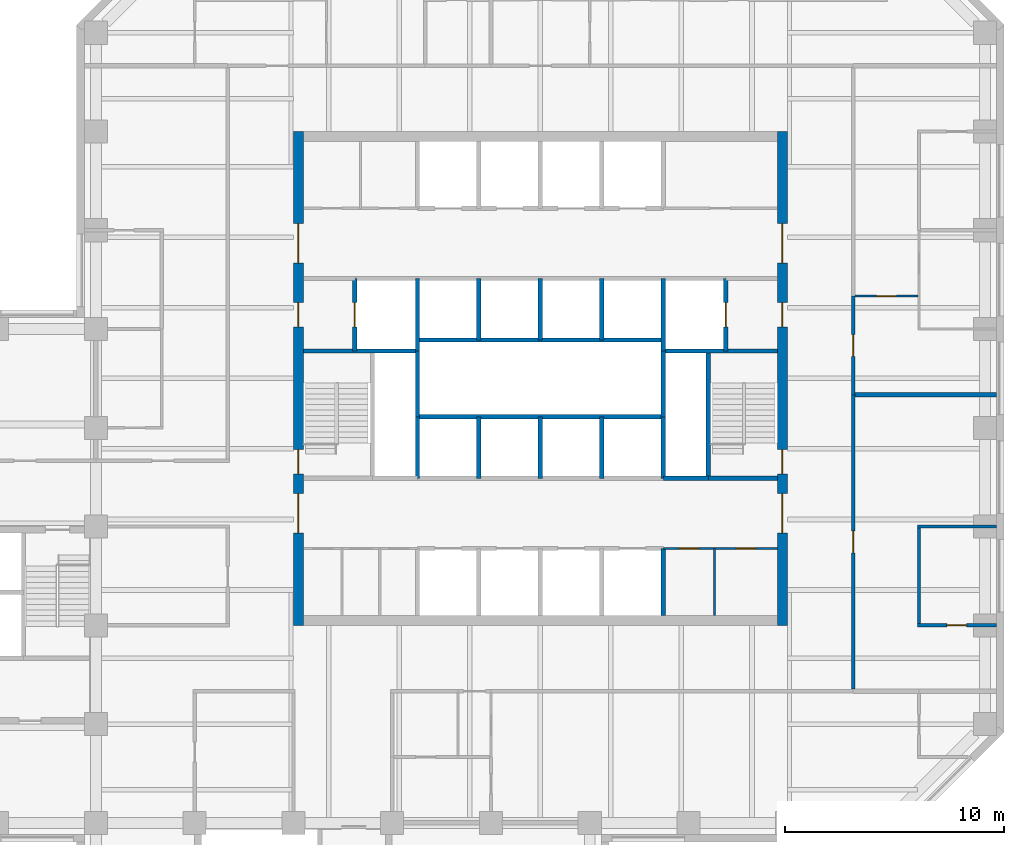
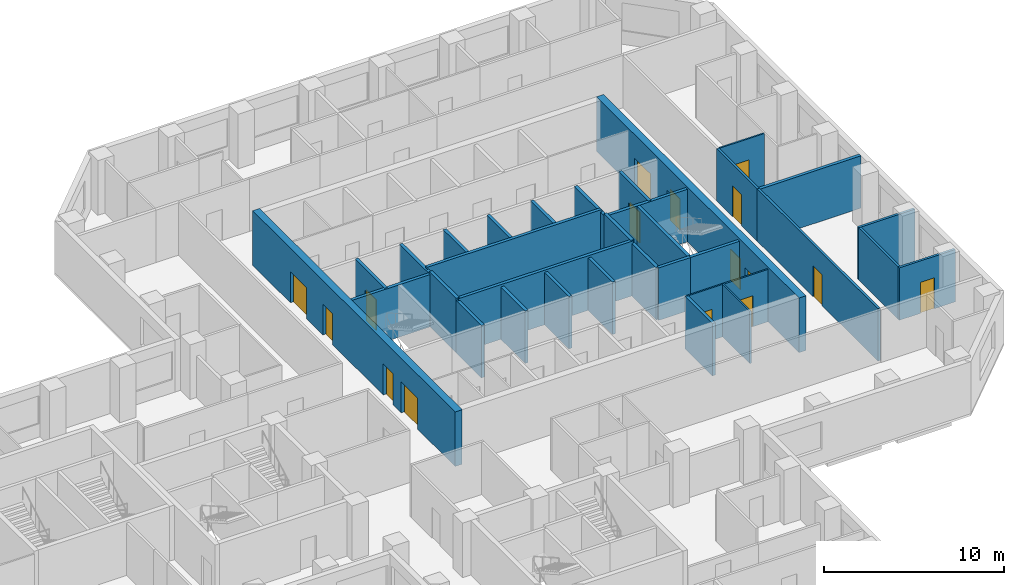
# One storey, part 7 of 11: 33 walls, 16 doors, 16 openings.
"""IFC4 building model written with IfcOpenShell, lengths in metres."""

from ifc_helpers import new_model, si_unit, direction, frame, frame_2d, origin, place, context, subcontext, project, spatial, rectangle, extrude, material, layer, layer_set, type_object, element, fill, save


model = new_model("IFC4")

# Units and contexts
model_context = context("Model", 3, precision=1e-05, world=origin(), true_north=direction((0.0, 1.0)))
body_context = subcontext(model_context, "Body", "Model", "MODEL_VIEW")
ifc_project = project(units=[si_unit("LENGTHUNIT", "METRE"), si_unit("AREAUNIT", "SQUARE_METRE"), si_unit("VOLUMEUNIT", "CUBIC_METRE"), si_unit("PLANEANGLEUNIT", "RADIAN"), si_unit("MASSUNIT", "GRAM", prefix="KILO")], contexts=[model_context])

# Site, building, storey
site_placement = place(None, origin())
site = spatial("IfcSite", under=ifc_project, at=site_placement, CompositionType="ELEMENT")
building_placement = place(site_placement, origin())
building = spatial("IfcBuilding", under=site, at=building_placement, Name="Quoin Convention Tower", CompositionType="ELEMENT")
storey_placement = place(building_placement, frame((0.0, 0.0, 119.60009765625)))
storey = spatial("IfcBuildingStorey", under=building, at=storey_placement, Name="L31", CompositionType="ELEMENT", Elevation=119.60009765625)

# Wall, opening, door
ifc_material_1 = material(Name="Plasterboard")
ifc_layer_1 = layer(ifc_material_1, 0.012451171875, Name="Finish")
ifc_material_2 = material(Name="Steel stud framing", Category="steel")
ifc_layer_2 = layer(ifc_material_2, 0.125, Name="Structure")
ifc_layer_3 = layer(ifc_material_1, 0.012451171875, Name="Finish")
ifc_layer_set_1 = layer_set([ifc_layer_1, ifc_layer_2, ifc_layer_3], Name="Steel stud framing")
wall_type_1 = type_object("IfcWallType", Name="Acoustic partition 150", PredefinedType="PARTITIONING", material=ifc_layer_set_1)
wall_1_placement = place(storey_placement, frame((73.425048828125, 49.5, 0.0), z_axis=(0.0, 0.0, 1.0), x_axis=(1.0, 0.0, 0.0)))
wall_1 = element("IfcWall", 1, at=wall_1_placement, inside=storey, type_object=wall_type_1, Name="pw-L31-028", PredefinedType="PARTITIONING", context=body_context, shape_type="SweptSolid", body=[
    extrude(rectangle(XDim=3.599853515625, YDim=0.14990234375, at=frame_2d((1.7998046875, 0.0))), origin(), (0.0, 0.0, 1.0), 3.5498046875),
])
opening_1_placement = place(wall_1_placement, frame((1.35009765625, 0.0, 0.0)))
opening_1 = element("IfcOpeningElement", 2, at=opening_1_placement, cuts=wall_1, Name="Opening DOL6-10", PredefinedType="OPENING", context=body_context, shape_type="SweptSolid", body=[
    extrude(rectangle(XDim=0.89990234375, YDim=2.10009765625, at=frame_2d((0.449951171875, 1.050048828125))), frame((0.0, 0.0849609375, 0.0), z_axis=(0.0, -1.0, 0.0), x_axis=(1.0, 0.0, 0.0)), (0.0, 0.0, 1.0), 0.169921875),
])
ifc_material_3 = material(Name="Steel door leaf", Category="steel")
door_type_1 = type_object("IfcDoorType", Name="Office door 900 x 2100", OperationType="SINGLE_SWING_RIGHT", PredefinedType="DOOR", material=ifc_material_3)
door_1_placement = place(opening_1_placement, frame((0.89990234375, 0.0, 0.0), z_axis=(0.0, 0.0, 1.0), x_axis=(-1.0, 0.0, 0.0)))
door_1 = element("IfcDoor", 3, at=door_1_placement, inside=storey, type_object=door_type_1, Name="dr-L31-24", OperationType="SINGLE_SWING_LEFT", OverallHeight=2.10009765625, OverallWidth=0.89990234375, PredefinedType="DOOR", context=body_context, shape_type="SweptSolid", body=[
    extrude(rectangle(XDim=0.89990234375, YDim=2.10009765625, at=frame_2d((0.449951171875, 1.050048828125))), frame((0.0, 0.02490234375, 0.0), z_axis=(0.0, -1.0, 0.0), x_axis=(1.0, 0.0, 0.0)), (0.0, 0.0, 1.0), 0.050048828125),
])
fill(opening_1, door_1)

# Walls
wall_2_placement = place(storey_placement, frame((73.425048828125, 54.0, 0.0), z_axis=(0.0, 0.0, 1.0), x_axis=(1.0, 0.0, 0.0)))
element("IfcWall", 4, at=wall_2_placement, inside=storey, type_object=wall_type_1, Name="pw-L31-032", PredefinedType="PARTITIONING", context=body_context, shape_type="SweptSolid", body=[
    extrude(rectangle(XDim=3.599853515625, YDim=0.14990234375, at=frame_2d((1.7998046875, 0.0))), origin(), (0.0, 0.0, 1.0), 3.5498046875),
])
wall_3_placement = place(storey_placement, frame((73.5, 49.574951171875, 0.0), z_axis=(0.0, 0.0, 1.0), x_axis=(0.0, 1.0, 0.0)))
element("IfcWall", 5, at=wall_3_placement, inside=storey, type_object=wall_type_1, Name="pw-L31-084", PredefinedType="PARTITIONING", context=body_context, shape_type="SweptSolid", body=[
    extrude(rectangle(XDim=4.35009765625, YDim=0.14990234375, at=frame_2d((2.175048828125, 0.0))), origin(), (0.0, 0.0, 1.0), 3.5498046875),
])

# Wall, openings, doors
ifc_layer_4 = layer(ifc_material_1, 0.012451171875, Name="Finish")
ifc_layer_5 = layer(ifc_material_2, 0.074951171875, Name="Structure")
ifc_layer_6 = layer(ifc_material_1, 0.012451171875, Name="Finish")
ifc_layer_set_2 = layer_set([ifc_layer_4, ifc_layer_5, ifc_layer_6], Name="Steel stud framing")
wall_type_2 = type_object("IfcWallType", Name="Core partition wall", PredefinedType="PARTITIONING", material=ifc_layer_set_2)
wall_4_placement = place(storey_placement, frame((61.85009765625, 53.0, 0.0), z_axis=(0.0, 0.0, 1.0), x_axis=(1.0, 0.0, 0.0)))
wall_4 = element("IfcWall", 6, at=wall_4_placement, inside=storey, type_object=wall_type_2, Name="cr-C1-L31-h3500_16850", PredefinedType="PARTITIONING", context=body_context, shape_type="SweptSolid", body=[
    extrude(rectangle(XDim=5.199951171875, YDim=0.10009765625, at=frame_2d((2.60009765625, 0.0))), origin(), (0.0, 0.0, 1.0), 3.5498046875),
])
opening_2_placement = place(wall_4_placement, frame((3.320068359375, 0.0, 0.0)))
opening_2 = element("IfcOpeningElement", 7, at=opening_2_placement, cuts=wall_4, Name="Opening DCV5-23", PredefinedType="OPENING", context=body_context, shape_type="SweptSolid", body=[
    extrude(rectangle(XDim=0.89990234375, YDim=2.10009765625, at=frame_2d((0.449951171875, 1.050048828125))), frame((0.0, 0.06005859375, 0.0), z_axis=(0.0, -1.0, 0.0), x_axis=(1.0, 0.0, 0.0)), (0.0, 0.0, 1.0), 0.1201171875),
])
opening_3_placement = place(wall_4_placement, frame((0.719970703125, 0.0, 0.0)))
opening_3 = element("IfcOpeningElement", 8, at=opening_3_placement, cuts=wall_4, Name="Opening DCV5-21", PredefinedType="OPENING", context=body_context, shape_type="SweptSolid", body=[
    extrude(rectangle(XDim=0.89990234375, YDim=2.10009765625, at=frame_2d((0.449951171875, 1.050048828125))), frame((0.0, 0.06005859375, 0.0), z_axis=(0.0, -1.0, 0.0), x_axis=(1.0, 0.0, 0.0)), (0.0, 0.0, 1.0), 0.1201171875),
])
door_type_2 = type_object("IfcDoorType", Name="Core room door 900 x 2100", OperationType="SINGLE_SWING_LEFT", PredefinedType="DOOR", material=ifc_material_3)
door_2_placement = place(opening_2_placement, frame((0.89990234375, 0.0, 0.0), z_axis=(0.0, 0.0, 1.0), x_axis=(-1.0, 0.0, 0.0)))
door_2 = element("IfcDoor", 9, at=door_2_placement, inside=storey, type_object=door_type_2, Name="cd-C1-L31-CSE0-lobA-CD3110", OperationType="SINGLE_SWING_LEFT", OverallHeight=2.10009765625, OverallWidth=0.89990234375, PredefinedType="DOOR", context=body_context, shape_type="SweptSolid", body=[
    extrude(rectangle(XDim=0.89990234375, YDim=2.10009765625, at=frame_2d((0.449951171875, 1.050048828125))), frame((0.0, 0.02490234375, 0.0), z_axis=(0.0, -1.0, 0.0), x_axis=(1.0, 0.0, 0.0)), (0.0, 0.0, 1.0), 0.050048828125),
])
fill(opening_2, door_2)
door_3_placement = place(opening_3_placement, frame((0.89990234375, 0.0, 0.0), z_axis=(0.0, 0.0, 1.0), x_axis=(-1.0, 0.0, 0.0)))
door_3 = element("IfcDoor", 10, at=door_3_placement, inside=storey, type_object=door_type_2, Name="cd-C1-L31-CSE1-lobA-CD3111", OperationType="SINGLE_SWING_RIGHT", OverallHeight=2.10009765625, OverallWidth=0.89990234375, PredefinedType="DOOR", context=body_context, shape_type="SweptSolid", body=[
    extrude(rectangle(XDim=0.89990234375, YDim=2.10009765625, at=frame_2d((0.449951171875, 1.050048828125))), frame((0.0, 0.02490234375, 0.0), z_axis=(0.0, -1.0, 0.0), x_axis=(1.0, 0.0, 0.0)), (0.0, 0.0, 1.0), 0.050048828125),
])
fill(opening_3, door_3)

# Walls
wall_5_placement = place(storey_placement, frame((64.18994140625, 49.949951171875, 0.0), z_axis=(0.0, 0.0, 1.0), x_axis=(0.0, 1.0, 0.0)))
element("IfcWall", 11, at=wall_5_placement, inside=storey, type_object=wall_type_2, Name="cr-C1-L31-v19190_450", PredefinedType="PARTITIONING", context=body_context, shape_type="SweptSolid", body=[
    extrude(rectangle(XDim=3.050048828125, YDim=0.10009765625, at=frame_2d((1.52490234375, 0.0))), origin(), (0.0, 0.0, 1.0), 3.5498046875),
])
ifc_material_4 = material(Name="Concrete C50", Category="concrete")
ifc_layer_7 = layer(ifc_material_4, 0.199951171875)
ifc_layer_set_3 = layer_set([ifc_layer_7], Name="Concrete C50")
wall_type_3 = type_object("IfcWallType", Name="Core shaft wall", PredefinedType="SOLIDWALL", material=ifc_layer_set_3)
wall_6_placement = place(storey_placement, frame((61.85009765625, 56.199951171875, 0.0), z_axis=(0.0, 0.0, 1.0), x_axis=(1.0, 0.0, 0.0)))
element("IfcWall", 12, at=wall_6_placement, inside=storey, type_object=wall_type_3, Name="cr-C1-L31-h6700_16850", PredefinedType="SOLIDWALL", context=body_context, shape_type="SweptSolid", body=[
    extrude(rectangle(XDim=2.0498046875, YDim=0.199951171875, at=frame_2d((1.02490234375, 0.0))), origin(), (0.0, 0.0, 1.0), 3.5498046875),
])
wall_7_placement = place(storey_placement, frame((63.89990234375, 56.199951171875, 0.0), z_axis=(0.0, 0.0, 1.0), x_axis=(1.0, 0.0, 0.0)))
element("IfcWall", 13, at=wall_7_placement, inside=storey, type_object=wall_type_3, Name="cr-C1-L31-h6700_18900", PredefinedType="SOLIDWALL", context=body_context, shape_type="SweptSolid", body=[
    extrude(rectangle(XDim=3.150146484375, YDim=0.199951171875, at=frame_2d((1.5751953125, 0.0))), origin(), (0.0, 0.0, 1.0), 3.5498046875),
])
for number, where, z_axis, x_axis, name in (
    (14, (45.449951171875, 62.0, 0.0), (0.0, 0.0, 1.0), (1.0, 0.0, 0.0), "cr-C1-L31-h12500_450"),
    (15, (61.85009765625, 62.0, 0.0), (0.0, 0.0, 1.0), (1.0, 0.0, 0.0), "cr-C1-L31-h12500_16850"),
):
    element("IfcWall", number, at=place(storey_placement, frame(where, z_axis=z_axis, x_axis=x_axis)), inside=storey, type_object=wall_type_3, Name=name, PredefinedType="SOLIDWALL", context=body_context, shape_type="SweptSolid", body=[
        extrude(rectangle(XDim=5.199951171875, YDim=0.199951171875, at=frame_2d((2.60009765625, 0.0))), origin(), (0.0, 0.0, 1.0), 3.5498046875),
    ])

# Wall, opening, door
wall_8_placement = place(storey_placement, frame((47.800048828125, 62.0, 0.0), z_axis=(0.0, 0.0, 1.0), x_axis=(0.0, 1.0, 0.0)))
wall_8 = element("IfcWall", 16, at=wall_8_placement, inside=storey, type_object=wall_type_3, Name="cr-C1-L31-v2800_12500", PredefinedType="SOLIDWALL", context=body_context, shape_type="SweptSolid", body=[
    extrude(rectangle(XDim=3.300048828125, YDim=0.199951171875, at=frame_2d((1.64990234375, 0.0))), origin(), (0.0, 0.0, 1.0), 3.5498046875),
])
opening_4_placement = place(wall_8_placement, frame((1.10009765625, 0.0, 0.0)))
opening_4 = element("IfcOpeningElement", 17, at=opening_4_placement, cuts=wall_8, Name="Opening LDFL1", PredefinedType="OPENING", context=body_context, shape_type="SweptSolid", body=[
    extrude(rectangle(XDim=1.10009765625, YDim=2.10009765625, at=frame_2d((0.550048828125, 1.050048828125))), frame((0.0, 0.10986328125, 0.0), z_axis=(0.0, -1.0, 0.0), x_axis=(1.0, 0.0, 0.0)), (0.0, 0.0, 1.0), 0.219970703125),
])
door_type_3 = type_object("IfcDoorType", Name="Lift landing door 1100 x 2100", OperationType="DOUBLE_DOOR_SLIDING", PredefinedType="DOOR", material=ifc_material_3)
door_4_placement = place(opening_4_placement, origin())
door_4 = element("IfcDoor", 18, at=door_4_placement, inside=storey, type_object=door_type_3, Name="cd-C1-L31-FLW-FFW-LDFL1", OperationType="DOUBLE_DOOR_SLIDING", OverallHeight=2.10009765625, OverallWidth=1.10009765625, PredefinedType="DOOR", context=body_context, shape_type="SweptSolid", body=[
    extrude(rectangle(XDim=1.10009765625, YDim=2.10009765625, at=frame_2d((0.550048828125, 1.050048828125))), frame((0.0, 0.02490234375, 0.0), z_axis=(0.0, -1.0, 0.0), x_axis=(1.0, 0.0, 0.0)), (0.0, 0.0, 1.0), 0.050048828125),
])
fill(opening_4, door_4)

# Walls
wall_9_placement = place(storey_placement, frame((50.64990234375, 56.199951171875, 0.0), z_axis=(0.0, 0.0, 1.0), x_axis=(0.0, 1.0, 0.0)))
element("IfcWall", 19, at=wall_9_placement, inside=storey, type_object=wall_type_3, Name="cr-C1-L31-v5650_6700", PredefinedType="SOLIDWALL", context=body_context, shape_type="SweptSolid", body=[
    extrude(rectangle(XDim=2.800048828125, YDim=0.199951171875, at=frame_2d((1.39990234375, 0.0))), origin(), (0.0, 0.0, 1.0), 3.5498046875),
])
wall_10_placement = place(storey_placement, frame((50.64990234375, 62.0, 0.0), z_axis=(0.0, 0.0, 1.0), x_axis=(0.0, 1.0, 0.0)))
element("IfcWall", 20, at=wall_10_placement, inside=storey, type_object=wall_type_3, Name="cr-C1-L31-v5650_12500", PredefinedType="SOLIDWALL", context=body_context, shape_type="SweptSolid", body=[
    extrude(rectangle(XDim=3.300048828125, YDim=0.199951171875, at=frame_2d((1.64990234375, 0.0))), origin(), (0.0, 0.0, 1.0), 3.5498046875),
])
for number, where, z_axis, x_axis, name in (
    (21, (53.449951171875, 56.199951171875, 0.0), (0.0, 0.0, 1.0), (0.0, 1.0, 0.0), "cr-C1-L31-v8450_6700"),
    (22, (53.449951171875, 62.5, 0.0), (0.0, 0.0, 1.0), (0.0, 1.0, 0.0), "cr-C1-L31-v8450_13000"),
    (23, (56.25, 56.199951171875, 0.0), (0.0, 0.0, 1.0), (0.0, 1.0, 0.0), "cr-C1-L31-v11250_6700"),
    (24, (56.25, 62.5, 0.0), (0.0, 0.0, 1.0), (0.0, 1.0, 0.0), "cr-C1-L31-v11250_13000"),
    (25, (59.050048828125, 56.199951171875, 0.0), (0.0, 0.0, 1.0), (0.0, 1.0, 0.0), "cr-C1-L31-v14050_6700"),
    (26, (59.050048828125, 62.5, 0.0), (0.0, 0.0, 1.0), (0.0, 1.0, 0.0), "cr-C1-L31-v14050_13000"),
):
    element("IfcWall", number, at=place(storey_placement, frame(where, z_axis=z_axis, x_axis=x_axis)), inside=storey, type_object=wall_type_3, Name=name, PredefinedType="SOLIDWALL", context=body_context, shape_type="SweptSolid", body=[
        extrude(rectangle(XDim=2.800048828125, YDim=0.199951171875, at=frame_2d((1.39990234375, 0.0))), origin(), (0.0, 0.0, 1.0), 3.5498046875),
    ])
wall_11_placement = place(storey_placement, frame((61.85009765625, 49.949951171875, 0.0), z_axis=(0.0, 0.0, 1.0), x_axis=(0.0, 1.0, 0.0)))
element("IfcWall", 27, at=wall_11_placement, inside=storey, type_object=wall_type_3, Name="cr-C1-L31-v16850_450", PredefinedType="SOLIDWALL", context=body_context, shape_type="SweptSolid", body=[
    extrude(rectangle(XDim=3.050048828125, YDim=0.199951171875, at=frame_2d((1.52490234375, 0.0))), origin(), (0.0, 0.0, 1.0), 3.5498046875),
])
wall_12_placement = place(storey_placement, frame((61.85009765625, 56.199951171875, 0.0), z_axis=(0.0, 0.0, 1.0), x_axis=(0.0, 1.0, 0.0)))
element("IfcWall", 28, at=wall_12_placement, inside=storey, type_object=wall_type_3, Name="cr-C1-L31-v16850_6700", PredefinedType="SOLIDWALL", context=body_context, shape_type="SweptSolid", body=[
    extrude(rectangle(XDim=2.800048828125, YDim=0.199951171875, at=frame_2d((1.39990234375, 0.0))), origin(), (0.0, 0.0, 1.0), 3.5498046875),
])
wall_13_placement = place(storey_placement, frame((61.85009765625, 62.0, 0.0), z_axis=(0.0, 0.0, 1.0), x_axis=(0.0, 1.0, 0.0)))
element("IfcWall", 29, at=wall_13_placement, inside=storey, type_object=wall_type_3, Name="cr-C1-L31-v16850_12500", PredefinedType="SOLIDWALL", context=body_context, shape_type="SweptSolid", body=[
    extrude(rectangle(XDim=3.300048828125, YDim=0.199951171875, at=frame_2d((1.64990234375, 0.0))), origin(), (0.0, 0.0, 1.0), 3.5498046875),
])
wall_14_placement = place(storey_placement, frame((63.89990234375, 56.199951171875, 0.0), z_axis=(0.0, 0.0, 1.0), x_axis=(0.0, 1.0, 0.0)))
element("IfcWall", 30, at=wall_14_placement, inside=storey, type_object=wall_type_3, Name="cr-C1-L31-v18900_6700", PredefinedType="SOLIDWALL", context=body_context, shape_type="SweptSolid", body=[
    extrude(rectangle(XDim=5.800048828125, YDim=0.199951171875, at=frame_2d((2.89990234375, 0.0))), origin(), (0.0, 0.0, 1.0), 3.5498046875),
])

# Wall, opening, door
wall_15_placement = place(storey_placement, frame((64.699951171875, 62.0, 0.0), z_axis=(0.0, 0.0, 1.0), x_axis=(0.0, 1.0, 0.0)))
wall_15 = element("IfcWall", 31, at=wall_15_placement, inside=storey, type_object=wall_type_3, Name="cr-C1-L31-v19700_12500", PredefinedType="SOLIDWALL", context=body_context, shape_type="SweptSolid", body=[
    extrude(rectangle(XDim=3.300048828125, YDim=0.199951171875, at=frame_2d((1.64990234375, 0.0))), origin(), (0.0, 0.0, 1.0), 3.5498046875),
])
opening_5_placement = place(wall_15_placement, frame((1.10009765625, 0.0, 0.0)))
opening_5 = element("IfcOpeningElement", 32, at=opening_5_placement, cuts=wall_15, Name="Opening LDFL2", PredefinedType="OPENING", context=body_context, shape_type="SweptSolid", body=[
    extrude(rectangle(XDim=1.10009765625, YDim=2.10009765625, at=frame_2d((0.550048828125, 1.050048828125))), frame((0.0, 0.10986328125, 0.0), z_axis=(0.0, -1.0, 0.0), x_axis=(1.0, 0.0, 0.0)), (0.0, 0.0, 1.0), 0.219970703125),
])
door_5_placement = place(opening_5_placement, origin())
door_5 = element("IfcDoor", 33, at=door_5_placement, inside=storey, type_object=door_type_3, Name="cd-C1-L31-FLE-FFE-LDFL2", OperationType="DOUBLE_DOOR_SLIDING", OverallHeight=2.10009765625, OverallWidth=1.10009765625, PredefinedType="DOOR", context=body_context, shape_type="SweptSolid", body=[
    extrude(rectangle(XDim=1.10009765625, YDim=2.10009765625, at=frame_2d((0.550048828125, 1.050048828125))), frame((0.0, 0.02490234375, 0.0), z_axis=(0.0, -1.0, 0.0), x_axis=(1.0, 0.0, 0.0)), (0.0, 0.0, 1.0), 0.050048828125),
])
fill(opening_5, door_5)

# Walls
ifc_layer_8 = layer(ifc_material_4, 0.199951171875)
ifc_layer_set_4 = layer_set([ifc_layer_8], Name="Concrete C50")
wall_type_4 = type_object("IfcWallType", Name="Core shaft wall to the floor level over", PredefinedType="SOLIDWALL", material=ifc_layer_set_4)
for number, where, z_axis, x_axis, name in (
    (34, (50.64990234375, 59.0, 0.0), (0.0, 0.0, 1.0), (1.0, 0.0, 0.0), "cr-C1-L31-h9500_5650"),
    (35, (50.64990234375, 62.5, 0.0), (0.0, 0.0, 1.0), (1.0, 0.0, 0.0), "cr-C1-L31-h13000_5650"),
):
    element("IfcWall", number, at=place(storey_placement, frame(where, z_axis=z_axis, x_axis=x_axis)), inside=storey, type_object=wall_type_4, Name=name, PredefinedType="SOLIDWALL", context=body_context, shape_type="SweptSolid", body=[
        extrude(rectangle(XDim=11.2001953125, YDim=0.199951171875, at=frame_2d((5.60009765625, 0.0))), origin(), (0.0, 0.0, 1.0), 3.699951171875),
    ])
for number, where, z_axis, x_axis, name in (
    (36, (50.64990234375, 59.0, 0.0), (0.0, 0.0, 1.0), (0.0, 1.0, 0.0), "cr-C1-L31-v5650_9500"),
    (37, (61.85009765625, 59.0, 0.0), (0.0, 0.0, 1.0), (0.0, 1.0, 0.0), "cr-C1-L31-v16850_9500"),
):
    element("IfcWall", number, at=place(storey_placement, frame(where, z_axis=z_axis, x_axis=x_axis)), inside=storey, type_object=wall_type_4, Name=name, PredefinedType="SOLIDWALL", context=body_context, shape_type="SweptSolid", body=[
        extrude(rectangle(XDim=3.0, YDim=0.199951171875, at=frame_2d((1.5, 0.0))), origin(), (0.0, 0.0, 1.0), 3.699951171875),
    ])

# Wall, opening, door
ifc_layer_9 = layer(ifc_material_1, 0.012451171875, Name="Finish")
ifc_layer_10 = layer(ifc_material_2, 0.125, Name="Structure")
ifc_layer_11 = layer(ifc_material_1, 0.012451171875, Name="Finish")
ifc_layer_set_5 = layer_set([ifc_layer_9, ifc_layer_10, ifc_layer_11], Name="Steel stud framing")
wall_type_5 = type_object("IfcWallType", Name="Corridor wall 150", PredefinedType="PARTITIONING", material=ifc_layer_set_5)
wall_16_placement = place(storey_placement, frame((70.5, 46.60009765625, 0.0), z_axis=(0.0, 0.0, 1.0), x_axis=(0.0, 1.0, 0.0)))
wall_16 = element("IfcWall", 38, at=wall_16_placement, inside=storey, type_object=wall_type_5, Name="pw-L31-081", PredefinedType="PARTITIONING", context=body_context, shape_type="SweptSolid", body=[
    extrude(rectangle(XDim=13.39990234375, YDim=0.14990234375, at=frame_2d((6.699951171875, 0.0))), origin(), (0.0, 0.0, 1.0), 3.5498046875),
])
opening_6_placement = place(wall_16_placement, frame((6.199951171875, 0.0, 0.0)))
opening_6 = element("IfcOpeningElement", 39, at=opening_6_placement, cuts=wall_16, Name="Opening DOL6-29", PredefinedType="OPENING", context=body_context, shape_type="SweptSolid", body=[
    extrude(rectangle(XDim=1.0, YDim=2.10009765625, at=frame_2d((0.5, 1.050048828125))), frame((0.0, 0.0849609375, 0.0), z_axis=(0.0, -1.0, 0.0), x_axis=(1.0, 0.0, 0.0)), (0.0, 0.0, 1.0), 0.169921875),
])
door_type_4 = type_object("IfcDoorType", Name="Tenancy entrance door 1000 x 2100", OperationType="DOUBLE_DOOR_SINGLE_SWING", PredefinedType="DOOR", material=ifc_material_3)
door_6_placement = place(opening_6_placement, frame((1.0, 0.0, 0.0), z_axis=(0.0, 0.0, 1.0), x_axis=(-1.0, 0.0, 0.0)))
door_6 = element("IfcDoor", 40, at=door_6_placement, inside=storey, type_object=door_type_4, Name="dr-L31-23", OperationType="DOUBLE_DOOR_SINGLE_SWING", OverallHeight=2.10009765625, OverallWidth=1.0, PredefinedType="DOOR", context=body_context, shape_type="SweptSolid", body=[
    extrude(rectangle(XDim=1.0, YDim=2.10009765625, at=frame_2d((0.5, 1.050048828125))), frame((0.0, 0.02490234375, 0.0), z_axis=(0.0, -1.0, 0.0), x_axis=(1.0, 0.0, 0.0)), (0.0, 0.0, 1.0), 0.050048828125),
])
fill(opening_6, door_6)

wall_17_placement = place(storey_placement, frame((70.5, 60.0, 0.0), z_axis=(0.0, 0.0, 1.0), x_axis=(0.0, 1.0, 0.0)))
wall_17 = element("IfcWall", 41, at=wall_17_placement, inside=storey, type_object=wall_type_5, Name="pw-L31-090", PredefinedType="PARTITIONING", context=body_context, shape_type="SweptSolid", body=[
    extrude(rectangle(XDim=4.5, YDim=0.14990234375, at=frame_2d((2.25, 0.0))), origin(), (0.0, 0.0, 1.0), 3.5498046875),
])
opening_7_placement = place(wall_17_placement, frame((1.75, 0.0, 0.0)))
opening_7 = element("IfcOpeningElement", 42, at=opening_7_placement, cuts=wall_17, Name="Opening DOL6-31", PredefinedType="OPENING", context=body_context, shape_type="SweptSolid", body=[
    extrude(rectangle(XDim=1.0, YDim=2.10009765625, at=frame_2d((0.5, 1.050048828125))), frame((0.0, 0.0849609375, 0.0), z_axis=(0.0, -1.0, 0.0), x_axis=(1.0, 0.0, 0.0)), (0.0, 0.0, 1.0), 0.169921875),
])
door_7_placement = place(opening_7_placement, frame((1.0, 0.0, 0.0), z_axis=(0.0, 0.0, 1.0), x_axis=(-1.0, 0.0, 0.0)))
door_7 = element("IfcDoor", 43, at=door_7_placement, inside=storey, type_object=door_type_4, Name="dr-L31-25", OperationType="DOUBLE_DOOR_SINGLE_SWING", OverallHeight=2.10009765625, OverallWidth=1.0, PredefinedType="DOOR", context=body_context, shape_type="SweptSolid", body=[
    extrude(rectangle(XDim=1.0, YDim=2.10009765625, at=frame_2d((0.5, 1.050048828125))), frame((0.0, 0.02490234375, 0.0), z_axis=(0.0, -1.0, 0.0), x_axis=(1.0, 0.0, 0.0)), (0.0, 0.0, 1.0), 0.050048828125),
])
fill(opening_7, door_7)

# Wall, openings, doors
ifc_material_5 = material(Name="Concrete C65", Category="concrete")
ifc_layer_12 = layer(ifc_material_5, 0.449951171875)
ifc_layer_set_6 = layer_set([ifc_layer_12], Name="Concrete C65")
wall_type_6 = type_object("IfcWallType", Name="RC CORE WALL 450 C65", PredefinedType="SHEAR", material=ifc_layer_set_6)
wall_18_placement = place(storey_placement, frame((45.22509765625, 49.5, 0.0), z_axis=(0.0, 0.0, 1.0), x_axis=(0.0, 1.0, 0.0)))
wall_18 = element("IfcWall", 44, at=wall_18_placement, inside=storey, type_object=wall_type_6, Name="cwl-C1-L31-W", PredefinedType="SHEAR", context=body_context, shape_type="SweptSolid", body=[
    extrude(rectangle(XDim=22.5, YDim=0.449951171875, at=frame_2d((11.25, 0.0))), origin(), (0.0, 0.0, 1.0), 3.699951171875),
])
opening_8_placement = place(wall_18_placement, frame((4.199951171875, 0.0, 0.0)))
opening_8 = element("IfcOpeningElement", 45, at=opening_8_placement, cuts=wall_18, Name="Opening DCV5-50", PredefinedType="OPENING", context=body_context, shape_type="SweptSolid", body=[
    extrude(rectangle(XDim=1.800048828125, YDim=2.10009765625, at=frame_2d((0.89990234375, 1.050048828125))), frame((0.0, 0.23486328125, 0.0), z_axis=(0.0, -1.0, 0.0), x_axis=(1.0, 0.0, 0.0)), (0.0, 0.0, 1.0), 0.469970703125),
])
opening_9_placement = place(wall_18_placement, frame((6.89990234375, 0.0, 0.0)))
opening_9 = element("IfcOpeningElement", 46, at=opening_9_placement, cuts=wall_18, Name="Opening SD1", PredefinedType="OPENING", context=body_context, shape_type="SweptSolid", body=[
    extrude(rectangle(XDim=1.10009765625, YDim=2.10009765625, at=frame_2d((0.550048828125, 1.050048828125))), frame((0.0, 0.23486328125, 0.0), z_axis=(0.0, -1.0, 0.0), x_axis=(1.0, 0.0, 0.0)), (0.0, 0.0, 1.0), 0.469970703125),
])
opening_10_placement = place(wall_18_placement, frame((13.60009765625, 0.0, 0.0)))
opening_10 = element("IfcOpeningElement", 47, at=opening_10_placement, cuts=wall_18, Name="Opening DCV5-49", PredefinedType="OPENING", context=body_context, shape_type="SweptSolid", body=[
    extrude(rectangle(XDim=1.10009765625, YDim=2.10009765625, at=frame_2d((0.550048828125, 1.050048828125))), frame((0.0, 0.23486328125, 0.0), z_axis=(0.0, -1.0, 0.0), x_axis=(1.0, 0.0, 0.0)), (0.0, 0.0, 1.0), 0.469970703125),
])
opening_11_placement = place(wall_18_placement, frame((16.5, 0.0, 0.0)))
opening_11 = element("IfcOpeningElement", 48, at=opening_11_placement, cuts=wall_18, Name="Opening DCV5-50", PredefinedType="OPENING", context=body_context, shape_type="SweptSolid", body=[
    extrude(rectangle(XDim=1.800048828125, YDim=2.10009765625, at=frame_2d((0.89990234375, 1.050048828125))), frame((0.0, 0.23486328125, 0.0), z_axis=(0.0, -1.0, 0.0), x_axis=(1.0, 0.0, 0.0)), (0.0, 0.0, 1.0), 0.469970703125),
])
door_type_5 = type_object("IfcDoorType", Name="Fire-fighting lobby door 1100 x 2100", OperationType="SINGLE_SWING_LEFT", PredefinedType="DOOR", material=ifc_material_3)
door_8_placement = place(opening_10_placement, frame((1.10009765625, 0.0, 0.0), z_axis=(0.0, 0.0, 1.0), x_axis=(-1.0, 0.0, 0.0)))
door_8 = element("IfcDoor", 49, at=door_8_placement, inside=storey, type_object=door_type_5, Name="cd-C1-L31-FFW-W", OperationType="SINGLE_SWING_LEFT", OverallHeight=2.10009765625, OverallWidth=1.10009765625, PredefinedType="DOOR", context=body_context, shape_type="SweptSolid", body=[
    extrude(rectangle(XDim=1.10009765625, YDim=2.10009765625, at=frame_2d((0.550048828125, 1.050048828125))), frame((0.0, 0.02490234375, 0.0), z_axis=(0.0, -1.0, 0.0), x_axis=(1.0, 0.0, 0.0)), (0.0, 0.0, 1.0), 0.050048828125),
])
fill(opening_10, door_8)
door_type_6 = type_object("IfcDoorType", Name="Lift lobby door 1800 x 2100", OperationType="SINGLE_SWING_LEFT", PredefinedType="DOOR", material=ifc_material_3)
door_9_placement = place(opening_8_placement, frame((1.800048828125, 0.0, 0.0), z_axis=(0.0, 0.0, 1.0), x_axis=(-1.0, 0.0, 0.0)))
door_9 = element("IfcDoor", 50, at=door_9_placement, inside=storey, type_object=door_type_6, Name="cd-C1-L31-lobA-W", OperationType="SINGLE_SWING_LEFT", OverallHeight=2.10009765625, OverallWidth=1.800048828125, PredefinedType="DOOR", context=body_context, shape_type="SweptSolid", body=[
    extrude(rectangle(XDim=1.800048828125, YDim=2.10009765625, at=frame_2d((0.89990234375, 1.050048828125))), frame((0.0, 0.02490234375, 0.0), z_axis=(0.0, -1.0, 0.0), x_axis=(1.0, 0.0, 0.0)), (0.0, 0.0, 1.0), 0.050048828125),
])
fill(opening_8, door_9)
door_10_placement = place(opening_11_placement, frame((1.800048828125, 0.0, 0.0), z_axis=(0.0, 0.0, 1.0), x_axis=(-1.0, 0.0, 0.0)))
door_10 = element("IfcDoor", 51, at=door_10_placement, inside=storey, type_object=door_type_6, Name="cd-C1-L31-lobB-W", OperationType="SINGLE_SWING_LEFT", OverallHeight=2.10009765625, OverallWidth=1.800048828125, PredefinedType="DOOR", context=body_context, shape_type="SweptSolid", body=[
    extrude(rectangle(XDim=1.800048828125, YDim=2.10009765625, at=frame_2d((0.89990234375, 1.050048828125))), frame((0.0, 0.02490234375, 0.0), z_axis=(0.0, -1.0, 0.0), x_axis=(1.0, 0.0, 0.0)), (0.0, 0.0, 1.0), 0.050048828125),
])
fill(opening_11, door_10)
door_type_7 = type_object("IfcDoorType", Name="Stair door 1100 x 2100", OperationType="SINGLE_SWING_RIGHT", PredefinedType="DOOR", material=ifc_material_3)
door_11_placement = place(opening_9_placement, frame((1.10009765625, 0.0, 0.0), z_axis=(0.0, 0.0, 1.0), x_axis=(-1.0, 0.0, 0.0)))
door_11 = element("IfcDoor", 52, at=door_11_placement, inside=storey, type_object=door_type_7, Name="cd-C1-L31-STW-W", OperationType="SINGLE_SWING_RIGHT", OverallHeight=2.10009765625, OverallWidth=1.10009765625, PredefinedType="DOOR", context=body_context, shape_type="SweptSolid", body=[
    extrude(rectangle(XDim=1.10009765625, YDim=2.10009765625, at=frame_2d((0.550048828125, 1.050048828125))), frame((0.0, 0.02490234375, 0.0), z_axis=(0.0, -1.0, 0.0), x_axis=(1.0, 0.0, 0.0)), (0.0, 0.0, 1.0), 0.050048828125),
])
fill(opening_9, door_11)

wall_19_placement = place(storey_placement, frame((67.27490234375, 49.5, 0.0), z_axis=(0.0, 0.0, 1.0), x_axis=(0.0, 1.0, 0.0)))
wall_19 = element("IfcWall", 53, at=wall_19_placement, inside=storey, type_object=wall_type_6, Name="cwl-C1-L31-E", PredefinedType="SHEAR", context=body_context, shape_type="SweptSolid", body=[
    extrude(rectangle(XDim=22.5, YDim=0.449951171875, at=frame_2d((11.25, 0.0))), origin(), (0.0, 0.0, 1.0), 3.699951171875),
])
opening_12_placement = place(wall_19_placement, frame((4.199951171875, 0.0, 0.0)))
opening_12 = element("IfcOpeningElement", 54, at=opening_12_placement, cuts=wall_19, Name="Opening DCV5-48", PredefinedType="OPENING", context=body_context, shape_type="SweptSolid", body=[
    extrude(rectangle(XDim=1.800048828125, YDim=2.10009765625, at=frame_2d((0.89990234375, 1.050048828125))), frame((0.0, 0.23486328125, 0.0), z_axis=(0.0, -1.0, 0.0), x_axis=(1.0, 0.0, 0.0)), (0.0, 0.0, 1.0), 0.469970703125),
])
opening_13_placement = place(wall_19_placement, frame((6.89990234375, 0.0, 0.0)))
opening_13 = element("IfcOpeningElement", 55, at=opening_13_placement, cuts=wall_19, Name="Opening SD2", PredefinedType="OPENING", context=body_context, shape_type="SweptSolid", body=[
    extrude(rectangle(XDim=1.10009765625, YDim=2.10009765625, at=frame_2d((0.550048828125, 1.050048828125))), frame((0.0, 0.23486328125, 0.0), z_axis=(0.0, -1.0, 0.0), x_axis=(1.0, 0.0, 0.0)), (0.0, 0.0, 1.0), 0.469970703125),
])
opening_14_placement = place(wall_19_placement, frame((13.60009765625, 0.0, 0.0)))
opening_14 = element("IfcOpeningElement", 56, at=opening_14_placement, cuts=wall_19, Name="Opening DCV5-47", PredefinedType="OPENING", context=body_context, shape_type="SweptSolid", body=[
    extrude(rectangle(XDim=1.10009765625, YDim=2.10009765625, at=frame_2d((0.550048828125, 1.050048828125))), frame((0.0, 0.23486328125, 0.0), z_axis=(0.0, -1.0, 0.0), x_axis=(1.0, 0.0, 0.0)), (0.0, 0.0, 1.0), 0.469970703125),
])
opening_15_placement = place(wall_19_placement, frame((16.5, 0.0, 0.0)))
opening_15 = element("IfcOpeningElement", 57, at=opening_15_placement, cuts=wall_19, Name="Opening DCV5-48", PredefinedType="OPENING", context=body_context, shape_type="SweptSolid", body=[
    extrude(rectangle(XDim=1.800048828125, YDim=2.10009765625, at=frame_2d((0.89990234375, 1.050048828125))), frame((0.0, 0.23486328125, 0.0), z_axis=(0.0, -1.0, 0.0), x_axis=(1.0, 0.0, 0.0)), (0.0, 0.0, 1.0), 0.469970703125),
])
door_12_placement = place(opening_14_placement, origin())
door_12 = element("IfcDoor", 58, at=door_12_placement, inside=storey, type_object=door_type_5, Name="cd-C1-L31-FFE-E", OperationType="SINGLE_SWING_RIGHT", OverallHeight=2.10009765625, OverallWidth=1.10009765625, PredefinedType="DOOR", context=body_context, shape_type="SweptSolid", body=[
    extrude(rectangle(XDim=1.10009765625, YDim=2.10009765625, at=frame_2d((0.550048828125, 1.050048828125))), frame((0.0, 0.02490234375, 0.0), z_axis=(0.0, -1.0, 0.0), x_axis=(1.0, 0.0, 0.0)), (0.0, 0.0, 1.0), 0.050048828125),
])
fill(opening_14, door_12)
door_13_placement = place(opening_12_placement, origin())
door_13 = element("IfcDoor", 59, at=door_13_placement, inside=storey, type_object=door_type_6, Name="cd-C1-L31-lobA-E", OperationType="SINGLE_SWING_RIGHT", OverallHeight=2.10009765625, OverallWidth=1.800048828125, PredefinedType="DOOR", context=body_context, shape_type="SweptSolid", body=[
    extrude(rectangle(XDim=1.800048828125, YDim=2.10009765625, at=frame_2d((0.89990234375, 1.050048828125))), frame((0.0, 0.02490234375, 0.0), z_axis=(0.0, -1.0, 0.0), x_axis=(1.0, 0.0, 0.0)), (0.0, 0.0, 1.0), 0.050048828125),
])
fill(opening_12, door_13)
door_14_placement = place(opening_15_placement, origin())
door_14 = element("IfcDoor", 60, at=door_14_placement, inside=storey, type_object=door_type_6, Name="cd-C1-L31-lobB-E", OperationType="SINGLE_SWING_RIGHT", OverallHeight=2.10009765625, OverallWidth=1.800048828125, PredefinedType="DOOR", context=body_context, shape_type="SweptSolid", body=[
    extrude(rectangle(XDim=1.800048828125, YDim=2.10009765625, at=frame_2d((0.89990234375, 1.050048828125))), frame((0.0, 0.02490234375, 0.0), z_axis=(0.0, -1.0, 0.0), x_axis=(1.0, 0.0, 0.0)), (0.0, 0.0, 1.0), 0.050048828125),
])
fill(opening_15, door_14)
door_15_placement = place(opening_13_placement, origin())
door_15 = element("IfcDoor", 61, at=door_15_placement, inside=storey, type_object=door_type_7, Name="cd-C1-L31-STE-E", OperationType="SINGLE_SWING_LEFT", OverallHeight=2.10009765625, OverallWidth=1.10009765625, PredefinedType="DOOR", context=body_context, shape_type="SweptSolid", body=[
    extrude(rectangle(XDim=1.10009765625, YDim=2.10009765625, at=frame_2d((0.550048828125, 1.050048828125))), frame((0.0, 0.02490234375, 0.0), z_axis=(0.0, -1.0, 0.0), x_axis=(1.0, 0.0, 0.0)), (0.0, 0.0, 1.0), 0.050048828125),
])
fill(opening_13, door_15)

# Wall, opening, door
ifc_layer_13 = layer(ifc_material_1, 0.012451171875, Name="Finish")
ifc_layer_14 = layer(ifc_material_2, 0.074951171875, Name="Structure")
ifc_layer_15 = layer(ifc_material_1, 0.012451171875, Name="Finish")
ifc_layer_set_7 = layer_set([ifc_layer_13, ifc_layer_14, ifc_layer_15], Name="Steel stud framing")
wall_type_7 = type_object("IfcWallType", Name="Stud partition 100", PredefinedType="PARTITIONING", material=ifc_layer_set_7)
wall_20_placement = place(storey_placement, frame((70.574951171875, 64.5, 0.0), z_axis=(0.0, 0.0, 1.0), x_axis=(1.0, 0.0, 0.0)))
wall_20 = element("IfcWall", 62, at=wall_20_placement, inside=storey, type_object=wall_type_7, Name="pw-L31-040", PredefinedType="PARTITIONING", context=body_context, shape_type="SweptSolid", body=[
    extrude(rectangle(XDim=2.875, YDim=0.10009765625, at=frame_2d((1.4375, 0.0))), origin(), (0.0, 0.0, 1.0), 3.5498046875),
])
opening_16_placement = place(wall_20_placement, frame((1.0, 0.0, 0.0)))
opening_16 = element("IfcOpeningElement", 63, at=opening_16_placement, cuts=wall_20, Name="Opening DOL6-14", PredefinedType="OPENING", context=body_context, shape_type="SweptSolid", body=[
    extrude(rectangle(XDim=0.89990234375, YDim=2.10009765625, at=frame_2d((0.449951171875, 1.050048828125))), frame((0.0, 0.06005859375, 0.0), z_axis=(0.0, -1.0, 0.0), x_axis=(1.0, 0.0, 0.0)), (0.0, 0.0, 1.0), 0.1201171875),
])
door_16_placement = place(opening_16_placement, origin())
door_16 = element("IfcDoor", 64, at=door_16_placement, inside=storey, type_object=door_type_1, Name="dr-L31-26", OperationType="SINGLE_SWING_RIGHT", OverallHeight=2.10009765625, OverallWidth=0.89990234375, PredefinedType="DOOR", context=body_context, shape_type="SweptSolid", body=[
    extrude(rectangle(XDim=0.89990234375, YDim=2.10009765625, at=frame_2d((0.449951171875, 1.050048828125))), frame((0.0, 0.02490234375, 0.0), z_axis=(0.0, -1.0, 0.0), x_axis=(1.0, 0.0, 0.0)), (0.0, 0.0, 1.0), 0.050048828125),
])
fill(opening_16, door_16)

# Wall
ifc_layer_16 = layer(ifc_material_1, 0.012451171875, Name="Finish")
ifc_layer_17 = layer(ifc_material_2, 0.175048828125, Name="Structure")
ifc_layer_18 = layer(ifc_material_1, 0.012451171875, Name="Finish")
ifc_layer_set_8 = layer_set([ifc_layer_16, ifc_layer_17, ifc_layer_18], Name="Steel stud framing")
wall_type_8 = type_object("IfcWallType", Name="Tenancy demising wall 200", PredefinedType="PARTITIONING", material=ifc_layer_set_8)
wall_21_placement = place(storey_placement, frame((70.574951171875, 60.0, 0.0), z_axis=(0.0, 0.0, 1.0), x_axis=(1.0, 0.0, 0.0)))
element("IfcWall", 65, at=wall_21_placement, inside=storey, type_object=wall_type_8, Name="pw-L31-037", PredefinedType="PARTITIONING", context=body_context, shape_type="SweptSolid", body=[
    extrude(rectangle(XDim=6.449951171875, YDim=0.199951171875, at=frame_2d((3.22509765625, 0.0))), origin(), (0.0, 0.0, 1.0), 3.5498046875),
])

save(model, "model.ifc")
